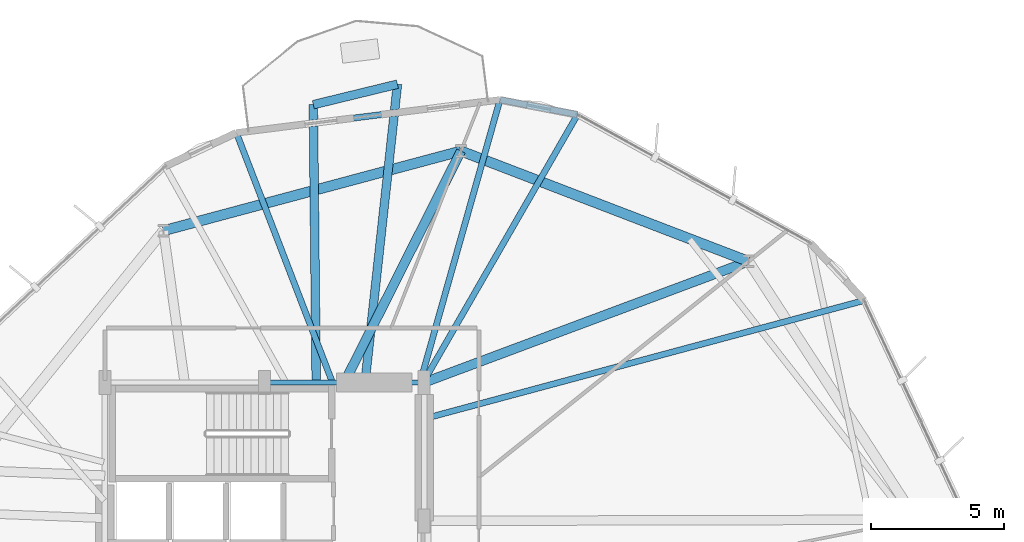
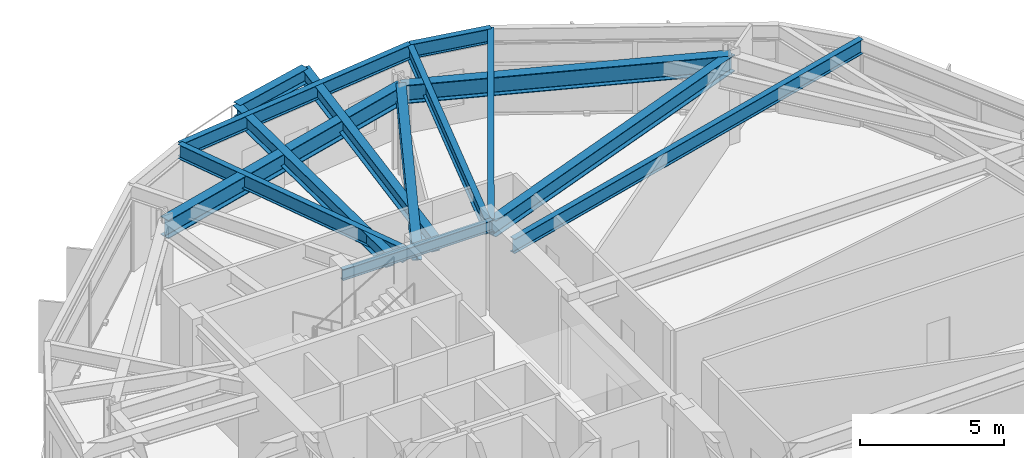
# One storey, part 12 of 22: 14 beams.
"""IFC4 building model written with IfcOpenShell, lengths in metres."""

from ifc_helpers import new_model, si_unit, direction, frame, origin, origin_2d, place, context, subcontext, project, spatial, i_section, extrude, material, material_profile, profile_set, type_object, element, save


model = new_model("IFC4")

# Units and contexts
model_context = context("Model", 3, precision=1e-05, world=origin(), true_north=direction((0.0, 1.0)))
body_context = subcontext(model_context, "Body", "Model", "MODEL_VIEW")
ifc_project = project(units=[si_unit("LENGTHUNIT", "METRE"), si_unit("AREAUNIT", "SQUARE_METRE"), si_unit("VOLUMEUNIT", "CUBIC_METRE"), si_unit("PLANEANGLEUNIT", "RADIAN"), si_unit("MASSUNIT", "GRAM", prefix="KILO")], contexts=[model_context])

# Site, building, storey
site_placement = place(None, origin())
site = spatial("IfcSite", under=ifc_project, at=site_placement, CompositionType="ELEMENT")
building_placement = place(site_placement, origin())
building = spatial("IfcBuilding", under=site, at=building_placement, Name="Soratama Intermodal Tower", CompositionType="ELEMENT")
storey_placement = place(building_placement, frame((0.0, 0.0, 54.60009765625)))
storey = spatial("IfcBuildingStorey", under=building, at=storey_placement, Name="L12", CompositionType="ELEMENT", Elevation=54.60009765625)

# Beams
ifc_material_1 = material(Name="Structural steel ASTM A992 Grade 50", Category="steel")
ifc_material_profile_1 = material_profile(ifc_material_1, i_section(OverallWidth=0.324951171875, OverallDepth=0.615966796875, WebThickness=0.013916015625, FlangeThickness=0.021484375, FilletRadius=0.013916015625, at=origin_2d()), Name="W24X117")
ifc_profile_set_1 = profile_set([ifc_material_profile_1], Name="Structural steel ASTM A992 Grade 50")
beam_type_1 = type_object("IfcBeamType", Name="BM-CANT-W24X117", PredefinedType="BEAM", material=ifc_profile_set_1)
beam_1_placement = place(storey_placement, frame((43.594970703125, 46.2041015625, 3.391845703125), z_axis=(-0.97158603279, -0.236686672389, 0.0), x_axis=(0.236686672389, -0.97158603279, 0.0)))
element("IfcBeam", 1, at=beam_1_placement, inside=storey, type_object=beam_type_1, Name="BM-L12-CBHDR-1", PredefinedType="BEAM", context=body_context, shape_type="SweptSolid", body=[
    extrude(i_section(OverallWidth=0.324951171875, OverallDepth=0.615966796875, WebThickness=0.013916015625, FlangeThickness=0.021484375, FilletRadius=0.013916015625, at=origin_2d()), origin(), (0.0, 0.0, 1.0), 3.25341796875),
])
beam_2_placement = place(storey_placement, frame((42.3798828125, 35.0400390625, 3.391845703125), z_axis=(0.108200241245, 0.994129120283, 0.0), x_axis=(-0.994129120283, 0.108200241245, 0.0)))
element("IfcBeam", 2, at=beam_2_placement, inside=storey, type_object=beam_type_1, Name="BM-L12-CANT-1-1", PredefinedType="BEAM", context=body_context, shape_type="SweptSolid", body=[
    extrude(i_section(OverallWidth=0.324951171875, OverallDepth=0.615966796875, WebThickness=0.013916015625, FlangeThickness=0.021484375, FilletRadius=0.013916015625, at=origin_2d()), origin(), (0.0, 0.0, 1.0), 11.22998046875),
])
beam_3_placement = place(storey_placement, frame((40.5419921875, 35.0400390625, 3.391845703125), z_axis=(-0.01038136378, 0.999946112191, 0.0), x_axis=(-0.999946112191, -0.01038136378, 0.0)))
element("IfcBeam", 3, at=beam_3_placement, inside=storey, type_object=beam_type_1, Name="BM-L12-CANT-1-2", PredefinedType="BEAM", context=body_context, shape_type="SweptSolid", body=[
    extrude(i_section(OverallWidth=0.324951171875, OverallDepth=0.615966796875, WebThickness=0.013916015625, FlangeThickness=0.021484375, FilletRadius=0.013916015625, at=origin_2d()), origin(), (0.0, 0.0, 1.0), 10.39453125),
])
ifc_material_2 = material(Name="Structural steel ASTM A992 Grade 50", Category="steel")
ifc_material_profile_2 = material_profile(ifc_material_2, i_section(OverallWidth=0.19091796875, OverallDepth=0.4599609375, WebThickness=0.010009765625, FlangeThickness=0.01611328125, FilletRadius=0.010986328125, at=origin_2d()), Name="W18X55")
ifc_profile_set_2 = profile_set([ifc_material_profile_2], Name="Structural steel ASTM A992 Grade 50")
beam_type_2 = type_object("IfcBeamType", Name="BM-FLR-W18X55", PredefinedType="BEAM", material=ifc_profile_set_2)
beam_4_placement = place(storey_placement, frame((44.60009765625, 35.0, 3.469970703125), z_axis=(-1.0, 0.0, 0.0), x_axis=(0.0, -1.0, 0.0)))
element("IfcBeam", 4, at=beam_4_placement, inside=storey, type_object=beam_type_2, Name="BM-L12-CRING-06", PredefinedType="BEAM", context=body_context, shape_type="SweptSolid", body=[
    extrude(i_section(OverallWidth=0.19091796875, OverallDepth=0.4599609375, WebThickness=0.010009765625, FlangeThickness=0.01611328125, FilletRadius=0.010986328125, at=origin_2d()), origin(), (0.0, 0.0, 1.0), 6.0),
])
ifc_material_3 = material(Name="Structural steel ASTM A992 Grade 50", Category="steel")
ifc_material_profile_3 = material_profile(ifc_material_3, i_section(OverallWidth=0.35498046875, OverallDepth=0.695068359375, WebThickness=0.015380859375, FlangeThickness=0.02490234375, FilletRadius=0.01611328125, at=origin_2d()), Name="W27X146")
ifc_profile_set_3 = profile_set([ifc_material_profile_3], Name="Structural steel ASTM A992 Grade 50")
beam_type_3 = type_object("IfcBeamType", Name="BM-RING-W27X146", PredefinedType="BEAM", material=ifc_profile_set_3)
beam_5_placement = place(storey_placement, frame((44.60009765625, 35.0, 3.352294921875), z_axis=(0.936827486358, 0.349791739189, 0.0), x_axis=(-0.349791739189, 0.936827486358, 0.0)))
element("IfcBeam", 5, at=beam_5_placement, inside=storey, type_object=beam_type_3, Name="BM-L12-RAD-02", PredefinedType="BEAM", context=body_context, shape_type="SweptSolid", body=[
    extrude(i_section(OverallWidth=0.35498046875, OverallDepth=0.695068359375, WebThickness=0.015380859375, FlangeThickness=0.02490234375, FilletRadius=0.01611328125, at=origin_2d()), origin(), (0.0, 0.0, 1.0), 13.002197265625),
])
beam_6_placement = place(storey_placement, frame((41.60009765625, 35.0, 3.352294921875), z_axis=(0.449910017166, 0.893073891934, 0.0), x_axis=(-0.893073891934, 0.449910017166, 0.0)))
element("IfcBeam", 6, at=beam_6_placement, inside=storey, type_object=beam_type_3, Name="BM-L12-RAD-03", PredefinedType="BEAM", context=body_context, shape_type="SweptSolid", body=[
    extrude(i_section(OverallWidth=0.35498046875, OverallDepth=0.695068359375, WebThickness=0.015380859375, FlangeThickness=0.02490234375, FilletRadius=0.01611328125, at=origin_2d()), origin(), (0.0, 0.0, 1.0), 9.735107421875),
])
ifc_material_4 = material(Name="Structural steel ASTM A992 Grade 50", Category="steel")
ifc_material_profile_4 = material_profile(ifc_material_4, i_section(OverallWidth=0.382080078125, OverallDepth=0.779052734375, WebThickness=0.01806640625, FlangeThickness=0.030029296875, FilletRadius=0.01806640625, at=origin_2d()), Name="W30X191")
ifc_profile_set_4 = profile_set([ifc_material_profile_4], Name="Structural steel ASTM A992 Grade 50")
beam_type_4 = type_object("IfcBeamType", Name="BM-RING-W30X191", PredefinedType="BEAM", material=ifc_profile_set_4)
beam_7_placement = place(storey_placement, frame((56.781005859375, 39.548095703125, 3.310302734375), z_axis=(-0.933584159632, 0.358358224246, 0.0), x_axis=(-0.358358224246, -0.933584159632, 0.0)))
element("IfcBeam", 7, at=beam_7_placement, inside=storey, type_object=beam_type_4, Name="BM-L12-RING-02", PredefinedType="BEAM", context=body_context, shape_type="SweptSolid", body=[
    extrude(i_section(OverallWidth=0.382080078125, OverallDepth=0.779052734375, WebThickness=0.01806640625, FlangeThickness=0.030029296875, FilletRadius=0.01806640625, at=origin_2d()), origin(), (0.0, 0.0, 1.0), 11.5693359375),
])
beam_8_placement = place(storey_placement, frame((45.97998046875, 43.694091796875, 3.310302734375), z_axis=(-0.965935902196, -0.258781438376, 0.0), x_axis=(0.258781438376, -0.965935902196, 0.0)))
element("IfcBeam", 8, at=beam_8_placement, inside=storey, type_object=beam_type_4, Name="BM-L12-RING-03", PredefinedType="BEAM", context=body_context, shape_type="SweptSolid", body=[
    extrude(i_section(OverallWidth=0.382080078125, OverallDepth=0.779052734375, WebThickness=0.01806640625, FlangeThickness=0.030029296875, FilletRadius=0.01806640625, at=origin_2d()), origin(), (0.0, 0.0, 1.0), 11.570068359375),
])
ifc_material_5 = material(Name="Structural steel ASTM A992 Grade 50", Category="steel")
ifc_material_profile_5 = material_profile(ifc_material_5, i_section(OverallWidth=0.22900390625, OverallDepth=0.612060546875, WebThickness=0.011962890625, FlangeThickness=0.01953125, FilletRadius=0.012939453125, at=origin_2d()), Name="W24X84")
ifc_profile_set_5 = profile_set([ifc_material_profile_5], Name="Structural steel ASTM A992 Grade 50")
beam_type_5 = type_object("IfcBeamType", Name="BM-SPN-W24X84", PredefinedType="SPANDREL", material=ifc_profile_set_5)
beam_9_placement = place(storey_placement, frame((50.35888671875, 45.06103515625, 3.393798828125), z_axis=(-0.982073901843, 0.188496289935, 0.0), x_axis=(-0.188496289935, -0.982073901843, 0.0)))
element("IfcBeam", 9, at=beam_9_placement, inside=storey, type_object=beam_type_5, Name="BS-L12-CRN02", PredefinedType="SPANDREL", context=body_context, shape_type="SweptSolid", body=[
    extrude(i_section(OverallWidth=0.22900390625, OverallDepth=0.612060546875, WebThickness=0.011962890625, FlangeThickness=0.01953125, FilletRadius=0.012939453125, at=origin_2d()), origin(), (0.0, 0.0, 1.0), 2.966064453125),
])
beam_10_placement = place(storey_placement, frame((47.446044921875, 45.6201171875, 3.393798828125), z_axis=(-0.992247360465, -0.12427862105, 0.0), x_axis=(0.12427862105, -0.992247360465, 0.0)))
element("IfcBeam", 10, at=beam_10_placement, inside=storey, type_object=beam_type_5, Name="BS-L12-F03", PredefinedType="SPANDREL", context=body_context, shape_type="SweptSolid", body=[
    extrude(i_section(OverallWidth=0.22900390625, OverallDepth=0.612060546875, WebThickness=0.011962890625, FlangeThickness=0.01953125, FilletRadius=0.012939453125, at=origin_2d()), origin(), (0.0, 0.0, 1.0), 9.9794921875),
])
ifc_material_6 = material(Name="Structural steel ASTM A992 Grade 50", Category="steel")
ifc_material_profile_6 = material_profile(ifc_material_6, i_section(OverallWidth=0.22900390625, OverallDepth=0.612060546875, WebThickness=0.011962890625, FlangeThickness=0.01953125, FilletRadius=0.012939453125, at=origin_2d()), Name="W24X84")
ifc_profile_set_6 = profile_set([ifc_material_profile_6], Name="Structural steel ASTM A992 Grade 50")
beam_type_6 = type_object("IfcBeamType", Name="BM-TIE-W24X84", PredefinedType="BEAM", material=ifc_profile_set_6)
beam_11_placement = place(storey_placement, frame((44.638916015625, 33.64794921875, 3.393798828125), z_axis=(0.965717989412, 0.259593460869, 0.0), x_axis=(-0.259593460869, 0.965717989412, 0.0)))
element("IfcBeam", 11, at=beam_11_placement, inside=storey, type_object=beam_type_6, Name="BM-L12-TIE1-01", PredefinedType="BEAM", context=body_context, shape_type="SweptSolid", body=[
    extrude(i_section(OverallWidth=0.22900390625, OverallDepth=0.612060546875, WebThickness=0.011962890625, FlangeThickness=0.01953125, FilletRadius=0.012939453125, at=origin_2d()), origin(), (0.0, 0.0, 1.0), 17.0732421875),
])
beam_12_placement = place(storey_placement, frame((44.580078125, 35.034912109375, 3.393798828125), z_axis=(0.499366267466, 0.866390980399, 0.0), x_axis=(-0.866390980399, 0.499366267466, 0.0)))
element("IfcBeam", 12, at=beam_12_placement, inside=storey, type_object=beam_type_6, Name="BM-L12-TIE1-02", PredefinedType="BEAM", context=body_context, shape_type="SweptSolid", body=[
    extrude(i_section(OverallWidth=0.22900390625, OverallDepth=0.612060546875, WebThickness=0.011962890625, FlangeThickness=0.01953125, FilletRadius=0.012939453125, at=origin_2d()), origin(), (0.0, 0.0, 1.0), 11.572265625),
])
beam_13_placement = place(storey_placement, frame((44.4580078125, 35.0380859375, 3.393798828125), z_axis=(0.271743343797, 0.962369760073, 0.0), x_axis=(-0.962369760073, 0.271743343797, 0.0)))
element("IfcBeam", 13, at=beam_13_placement, inside=storey, type_object=beam_type_6, Name="BM-L12-TIE0-03", PredefinedType="BEAM", context=body_context, shape_type="SweptSolid", body=[
    extrude(i_section(OverallWidth=0.22900390625, OverallDepth=0.612060546875, WebThickness=0.011962890625, FlangeThickness=0.01953125, FilletRadius=0.012939453125, at=origin_2d()), origin(), (0.0, 0.0, 1.0), 10.995849609375),
])
beam_14_placement = place(storey_placement, frame((41.137939453125, 35.037109375, 3.393798828125), z_axis=(-0.359033011468, 0.933324861276, 0.0), x_axis=(-0.933324861276, -0.359033011468, 0.0)))
element("IfcBeam", 14, at=beam_14_placement, inside=storey, type_object=beam_type_6, Name="BM-L12-TIE1-03", PredefinedType="BEAM", context=body_context, shape_type="SweptSolid", body=[
    extrude(i_section(OverallWidth=0.22900390625, OverallDepth=0.612060546875, WebThickness=0.011962890625, FlangeThickness=0.01953125, FilletRadius=0.012939453125, at=origin_2d()), origin(), (0.0, 0.0, 1.0), 10.01025390625),
])

save(model, "model.ifc")
